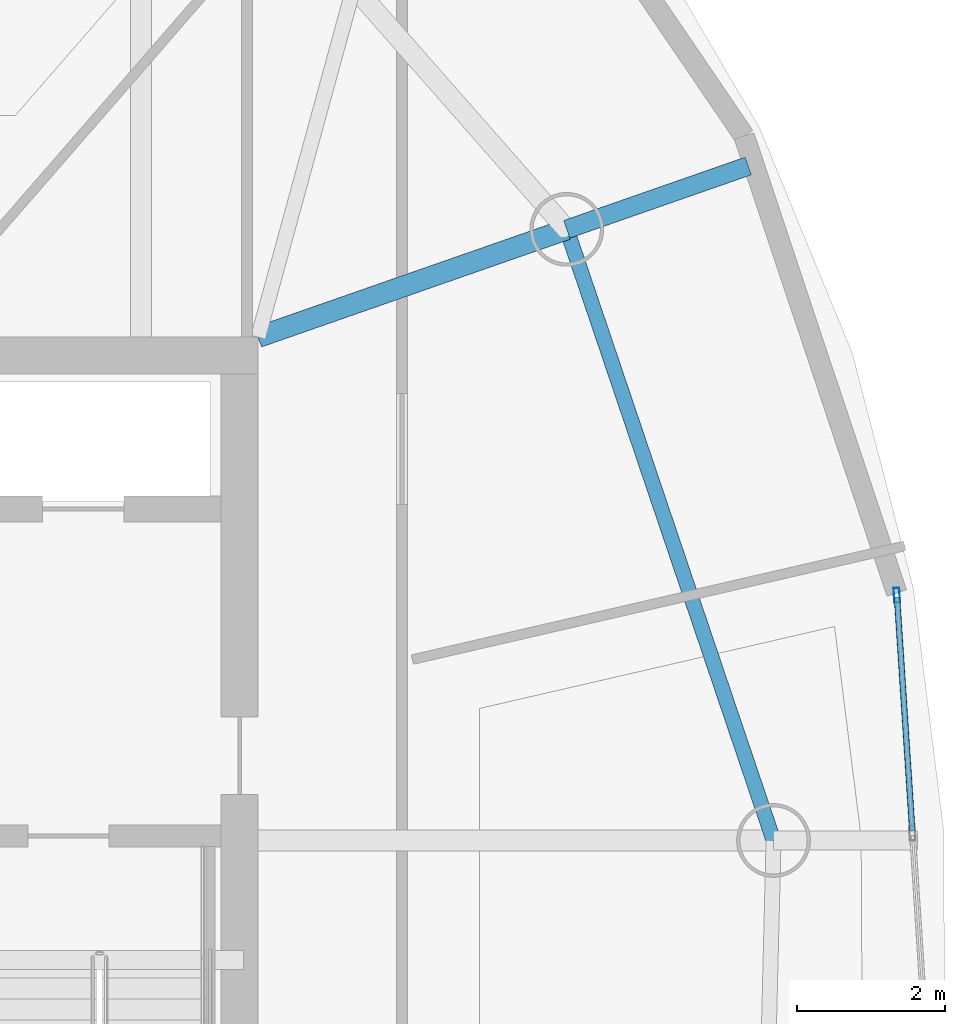
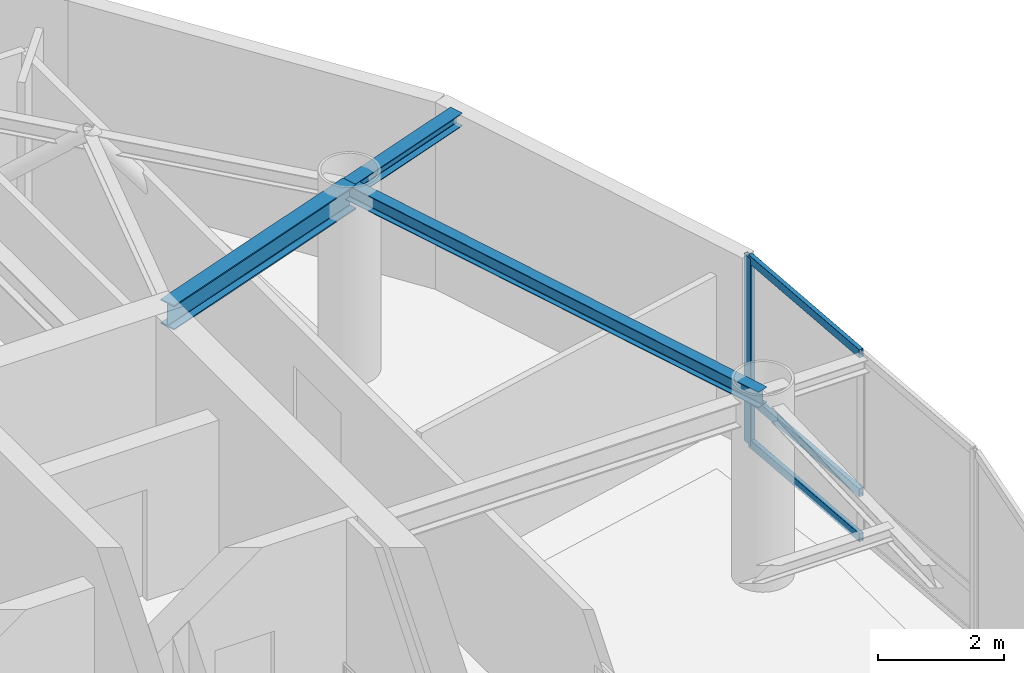
# One storey, part 7 of 18: 4 members, 3 beams, 1 element without a shape of its own.
"""IFC4 building model written with IfcOpenShell, lengths in metres."""

from ifc_helpers import new_model, si_unit, direction, frame, origin, origin_2d, place, context, subcontext, project, spatial, hollow_rectangle, i_section, extrude, material, layer, layer_set, material_profile, profile_set, type_object, element, aggregate, save


model = new_model("IFC4")

# Units and contexts
model_context = context("Model", 3, precision=1e-05, world=origin(), true_north=direction((0.0, 1.0)))
body_context = subcontext(model_context, "Body", "Model", "MODEL_VIEW")
ifc_project = project(units=[si_unit("LENGTHUNIT", "METRE"), si_unit("AREAUNIT", "SQUARE_METRE"), si_unit("VOLUMEUNIT", "CUBIC_METRE"), si_unit("PLANEANGLEUNIT", "RADIAN"), si_unit("MASSUNIT", "GRAM", prefix="KILO")], contexts=[model_context])

# Site, building, storey
site_placement = place(None, origin())
site = spatial("IfcSite", under=ifc_project, at=site_placement, CompositionType="ELEMENT")
building_placement = place(site_placement, origin())
building = spatial("IfcBuilding", under=site, at=building_placement, Name="Bramvorn Convention Spire", CompositionType="ELEMENT")
storey_placement = place(building_placement, frame((0.0, 0.0, 288.25)))
storey = spatial("IfcBuildingStorey", under=building, at=storey_placement, Name="L73", CompositionType="ELEMENT", Elevation=288.25)

# Beams
ifc_material_1 = material(Name="Steel CSA G40.21 Grade 350 (350W)", Category="steel")
ifc_material_profile_1 = material_profile(ifc_material_1, i_section(OverallWidth=0.25390625, OverallDepth=0.2529296875, WebThickness=0.008544921875, FlangeThickness=0.01416015625, FilletRadius=0.011962890625, at=origin_2d()))
ifc_profile_set_1 = profile_set([ifc_material_profile_1], Name="Steel CSA G40.21 Grade 350 (350W) - W250X73")
beam_type_1 = type_object("IfcBeamType", Name="BM-W250X73", PredefinedType="BEAM", material=ifc_profile_set_1)
beam_1_placement = place(storey_placement, frame((53.4326171875, 34.909912109375, 3.49853515625), z_axis=(0.944118137366, 0.329607255223, 0.0), x_axis=(-0.329607255223, 0.944118137366, 0.0)))
element("IfcBeam", 1, at=beam_1_placement, inside=storey, type_object=beam_type_1, Name="L73 slab-edge cantilever tip beam MC05", PredefinedType="BEAM", context=body_context, shape_type="SweptSolid", body=[
    extrude(i_section(OverallWidth=0.25390625, OverallDepth=0.2529296875, WebThickness=0.008544921875, FlangeThickness=0.01416015625, FilletRadius=0.011962890625, at=origin_2d()), origin(), (0.0, 0.0, 1.0), 2.60498046875),
])
ifc_material_profile_2 = material_profile(ifc_material_1, i_section(OverallWidth=0.202880859375, OverallDepth=0.302978515625, WebThickness=0.007568359375, FlangeThickness=0.01318359375, FilletRadius=0.013916015625, at=origin_2d()))
ifc_profile_set_2 = profile_set([ifc_material_profile_2], Name="Steel CSA G40.21 Grade 350 (350W) - W310X60")
beam_type_2 = type_object("IfcBeamType", Name="BM-W310X60", PredefinedType="JOIST", material=ifc_profile_set_2)
beam_2_placement = place(storey_placement, frame((56.234619140625, 26.62939453125, 3.473388671875), z_axis=(-0.320531023763, 0.947238018032, 0.0), x_axis=(-0.947238018032, -0.320531023763, 0.0)))
element("IfcBeam", 2, at=beam_2_placement, inside=storey, type_object=beam_type_2, Name="L73 mega-column ring beam 04", PredefinedType="JOIST", context=body_context, shape_type="SweptSolid", body=[
    extrude(i_section(OverallWidth=0.202880859375, OverallDepth=0.302978515625, WebThickness=0.007568359375, FlangeThickness=0.01318359375, FilletRadius=0.013916015625, at=origin_2d()), origin(), (0.0, 0.0, 1.0), 8.74169921875),
])
ifc_material_profile_3 = material_profile(ifc_material_1, i_section(OverallWidth=0.283935546875, OverallDepth=0.47607421875, WebThickness=0.014892578125, FlangeThickness=0.02392578125, FilletRadius=0.01806640625, at=origin_2d()))
ifc_profile_set_3 = profile_set([ifc_material_profile_3], Name="Steel CSA G40.21 Grade 350 (350W) - W460X158")
beam_type_3 = type_object("IfcBeamType", Name="BM-W460X158", PredefinedType="SPANDREL", material=ifc_profile_set_3)
beam_3_placement = place(storey_placement, frame((49.25, 33.449951171875, 3.386962890625), z_axis=(0.944136391877, 0.329554962843, 0.0), x_axis=(-0.329554962843, 0.944136391877, 0.0)))
element("IfcBeam", 3, at=beam_3_placement, inside=storey, type_object=beam_type_3, Name="L73 radial floor girder MC05", PredefinedType="SPANDREL", context=body_context, shape_type="SweptSolid", body=[
    extrude(i_section(OverallWidth=0.283935546875, OverallDepth=0.47607421875, WebThickness=0.014892578125, FlangeThickness=0.02392578125, FilletRadius=0.01806640625, at=origin_2d()), origin(), (0.0, 0.0, 1.0), 4.43017578125),
])

# Curtain wall, members
ifc_material_2 = material(Name="Anodised Bronze Unitised Curtain Wall", Category="aluminium")
ifc_layer = layer(ifc_material_2, 0.179931640625)
ifc_layer_set = layer_set([ifc_layer], Name="Anodised Bronze Unitised Curtain Wall - CW-OFF-FRIT")
curtain_wall_type = type_object("IfcCurtainWallType", Name="CW-OFF-FRIT", PredefinedType="USERDEFINED", material=ifc_layer_set)
curtain_wall_placement = place(storey_placement, origin())
curtain_wall = element("IfcCurtainWall", 4, at=curtain_wall_placement, inside=storey, type_object=curtain_wall_type, Name="L73 fritted glass curtain wall 05", ObjectType="UNITISED CURTAIN WALL", PredefinedType="USERDEFINED")
ifc_material_3 = material(Name="Anodised Bronze Aluminium 6063-T6", Category="aluminium")
ifc_material_profile_4 = material_profile(ifc_material_3, hollow_rectangle(XDim=0.080078125, YDim=0.199951171875, WallThickness=0.00390625, InnerFilletRadius=0.0009765625, OuterFilletRadius=0.00390625, at=origin_2d()))
ifc_profile_set_4 = profile_set([ifc_material_profile_4], Name="Anodised Bronze Aluminium 6063-T6 - CWM80X200")
member_type_1 = type_object("IfcMemberType", Name="CW-MUL-180", PredefinedType="MULLION", material=ifc_profile_set_4)
member_1_placement = place(storey_placement, frame((57.90576171875, 29.952880859375, 0.0), z_axis=(0.0, 0.0, 1.0), x_axis=(0.997868234771, 0.065260907399, 0.0)))
member_1 = element("IfcMember", 5, at=member_1_placement, type_object=member_type_1, Name="CW3 mullion 1", PredefinedType="MULLION", context=body_context, shape_type="SweptSolid", body=[
    extrude(hollow_rectangle(XDim=0.080078125, YDim=0.199951171875, WallThickness=0.00390625, InnerFilletRadius=0.0009765625, OuterFilletRadius=0.00390625, at=origin_2d()), origin(), (0.0, 0.0, 1.0), 3.625),
])
ifc_material_profile_5 = material_profile(ifc_material_3, hollow_rectangle(XDim=0.080078125, YDim=0.159912109375, WallThickness=0.00390625, InnerFilletRadius=0.0009765625, OuterFilletRadius=0.00390625, at=origin_2d()))
ifc_profile_set_5 = profile_set([ifc_material_profile_5], Name="Anodised Bronze Aluminium 6063-T6 - CWT80X160")
member_type_2 = type_object("IfcMemberType", Name="CW-TRN-150", PredefinedType="USERDEFINED", material=ifc_profile_set_5)
member_2_placement = place(storey_placement, frame((57.90771484375, 29.9228515625, 0.030029296875), z_axis=(0.065247360192, -0.997869120671, 0.0), x_axis=(0.997869120671, 0.065247360192, 0.0)))
member_2 = element("IfcMember", 6, at=member_2_placement, type_object=member_type_2, Name="CW3 transom 1.1", ObjectType="TRANSOM", PredefinedType="USERDEFINED", context=body_context, shape_type="SweptSolid", body=[
    extrude(hollow_rectangle(XDim=0.080078125, YDim=0.159912109375, WallThickness=0.00390625, InnerFilletRadius=0.0009765625, OuterFilletRadius=0.00390625, at=origin_2d()), origin(), (0.0, 0.0, 1.0), 3.173095703125),
])
member_3_placement = place(storey_placement, frame((57.90771484375, 29.9228515625, 0.89990234375), z_axis=(0.065247360192, -0.997869120671, 0.0), x_axis=(0.997869120671, 0.065247360192, 0.0)))
member_3 = element("IfcMember", 7, at=member_3_placement, type_object=member_type_2, Name="CW3 transom 1.2", ObjectType="TRANSOM", PredefinedType="USERDEFINED", context=body_context, shape_type="SweptSolid", body=[
    extrude(hollow_rectangle(XDim=0.080078125, YDim=0.159912109375, WallThickness=0.00390625, InnerFilletRadius=0.0009765625, OuterFilletRadius=0.00390625, at=origin_2d()), origin(), (0.0, 0.0, 1.0), 3.173095703125),
])
member_4_placement = place(storey_placement, frame((57.90771484375, 29.9228515625, 3.594970703125), z_axis=(0.065247360192, -0.997869120671, 0.0), x_axis=(0.997869120671, 0.065247360192, 0.0)))
member_4 = element("IfcMember", 8, at=member_4_placement, type_object=member_type_2, Name="CW3 transom 1.3", ObjectType="TRANSOM", PredefinedType="USERDEFINED", context=body_context, shape_type="SweptSolid", body=[
    extrude(hollow_rectangle(XDim=0.080078125, YDim=0.159912109375, WallThickness=0.00390625, InnerFilletRadius=0.0009765625, OuterFilletRadius=0.00390625, at=origin_2d()), origin(), (0.0, 0.0, 1.0), 3.173095703125),
])
aggregate(curtain_wall, [member_1, member_2, member_3, member_4])

save(model, "model.ifc")
